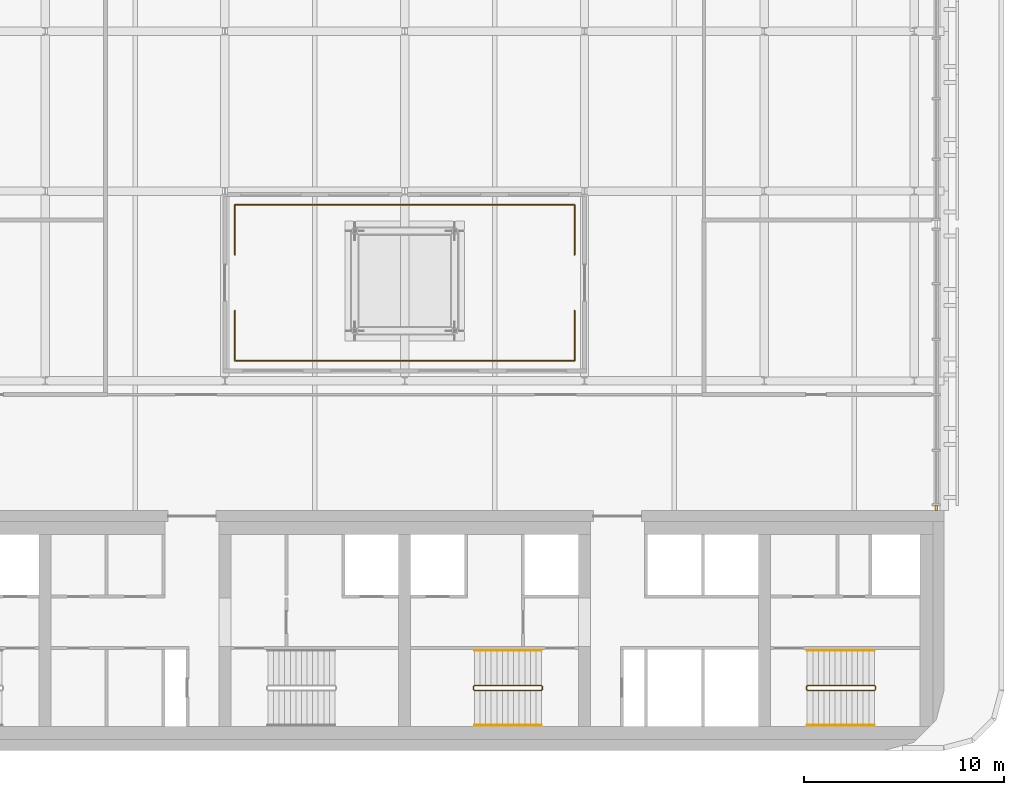
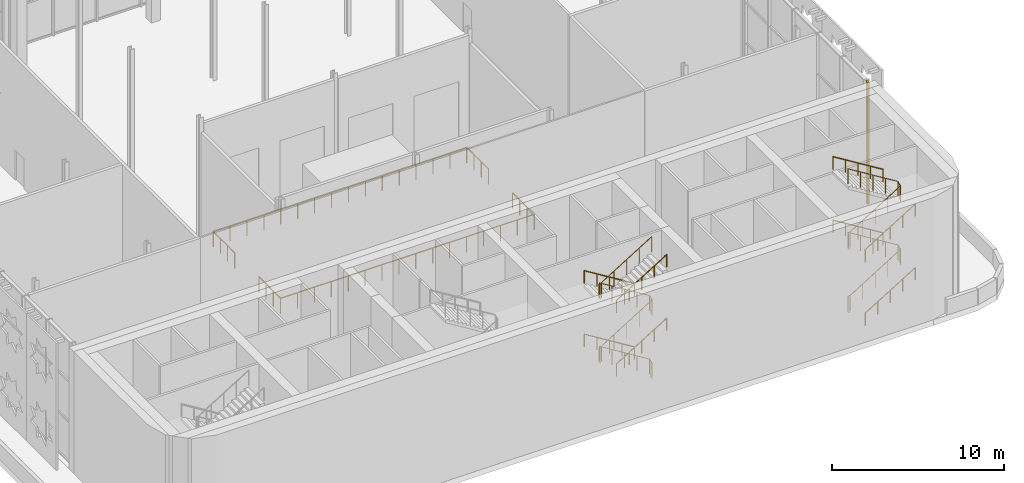
# One storey, part 23 of 26: 12 railings, 1 covering.
"""IFC4 building model written with IfcOpenShell, lengths in metres."""

from ifc_helpers import new_model, si_unit, direction, frame, origin, origin_2d, place, context, subcontext, project, spatial, rectangle, circle, extrude, material, layer, layer_set, type_object, element, save


model = new_model("IFC4")

# Units and contexts
model_context = context("Model", 3, precision=1e-05, world=origin(), true_north=direction((0.0, 1.0)))
body_context = subcontext(model_context, "Body", "Model", "MODEL_VIEW")
ifc_project = project(units=[si_unit("LENGTHUNIT", "METRE"), si_unit("AREAUNIT", "SQUARE_METRE"), si_unit("VOLUMEUNIT", "CUBIC_METRE"), si_unit("PLANEANGLEUNIT", "RADIAN"), si_unit("MASSUNIT", "GRAM", prefix="KILO")], contexts=[model_context])

# Site, building, storey
site_placement = place(None, origin())
site = spatial("IfcSite", under=ifc_project, at=site_placement, CompositionType="ELEMENT")
building_placement = place(site_placement, origin())
building = spatial("IfcBuilding", under=site, at=building_placement, Name="Zellij Exchange Tower", CompositionType="ELEMENT")
storey_placement = place(building_placement, frame((0.0, 0.0, 296.5)))
storey = spatial("IfcBuildingStorey", under=building, at=storey_placement, Name="L70", CompositionType="ELEMENT", Elevation=296.5)

# Railings
ifc_material_1 = material(Name="Stainless steel", Category="steel")
railing_type_1 = type_object("IfcRailingType", Name="CORE-RG stair guard", PredefinedType="GUARDRAIL", material=ifc_material_1)
railing_1_placement = place(storey_placement, frame((6.89990234375, -10.800048828125, 0.0)))
element("IfcRailing", 1, at=railing_1_placement, inside=storey, type_object=railing_type_1, Name="ST3 stair guard L70", PredefinedType="GUARDRAIL", context=body_context, shape_type="SweptSolid", body=[
    extrude(circle(Radius=0.02392578125, at=origin_2d()), frame((0.0, 0.0, 1.076171875), z_axis=(0.0, -1.0, 0.0), x_axis=(1.0, 0.0, 0.0)), (0.0, 0.0, 1.0), 0.14990234375),
    extrude(circle(Radius=0.02392578125, at=origin_2d()), frame((0.0, -0.14990234375, 1.076171875), z_axis=(-0.185068141132, 0.742994154839, 0.643202510111), x_axis=(-0.970351222016, -0.241699205484, 0.0)), (0.0, 0.0, 1.0), 0.26904296875),
    extrude(circle(Radius=0.02392578125, at=origin_2d()), frame((-0.0498046875, 0.050048828125, 1.2490234375), z_axis=(-0.850623216509, 0.0, 0.525775754039), x_axis=(0.0, -1.0, 0.0)), (0.0, 0.0, 1.0), 3.9501953125),
    extrude(circle(Radius=0.02392578125, at=origin_2d()), frame((-3.409912109375, 0.050048828125, 3.326171875), z_axis=(-0.707106781187, -0.707106781187, 0.0), x_axis=(0.707106781187, -0.707106781187, 0.0)), (0.0, 0.0, 1.0), 0.07080078125),
    extrude(circle(Radius=0.02392578125, at=origin_2d()), frame((-3.4599609375, 0.0, 3.326171875), z_axis=(0.0, -1.0, 0.0), x_axis=(1.0, 0.0, 0.0)), (0.0, 0.0, 1.0), 0.14990234375),
    extrude(circle(Radius=0.02392578125, at=origin_2d()), frame((-3.4599609375, -0.14990234375, 3.326171875), z_axis=(0.267629722418, -0.267629722418, 0.925607186314), x_axis=(0.707106781187, 0.707106781187, 0.0)), (0.0, 0.0, 1.0), 0.18701171875),
    extrude(circle(Radius=0.02392578125, at=origin_2d()), frame((-3.409912109375, -0.199951171875, 3.4990234375), z_axis=(0.850623216509, 0.0, 0.525775754039), x_axis=(0.0, 1.0, 0.0)), (0.0, 0.0, 1.0), 3.9501953125),
    extrude(circle(Radius=0.02392578125, at=origin_2d()), frame((-0.0498046875, -0.199951171875, 5.576171875), z_axis=(0.241699205484, 0.970351222016, 0.0), x_axis=(-0.970351222016, 0.241699205484, 0.0)), (0.0, 0.0, 1.0), 0.2060546875),
    extrude(circle(Radius=0.02392578125, at=origin_2d()), frame((0.0, 0.0, 5.576171875), z_axis=(0.0, -1.0, 0.0), x_axis=(1.0, 0.0, 0.0)), (0.0, 0.0, 1.0), 0.14990234375),
    extrude(circle(Radius=0.02392578125, at=origin_2d()), frame((0.0, -0.14990234375, 5.576171875), z_axis=(-0.185068141132, 0.742994154839, 0.643202510111), x_axis=(-0.970351222016, -0.241699205484, 0.0)), (0.0, 0.0, 1.0), 0.26904296875),
    extrude(circle(Radius=0.02392578125, at=origin_2d()), frame((-0.0498046875, 0.050048828125, 5.7490234375), z_axis=(-0.850623216509, 0.0, 0.525775754039), x_axis=(0.0, -1.0, 0.0)), (0.0, 0.0, 1.0), 3.9501953125),
    extrude(circle(Radius=0.02392578125, at=origin_2d()), frame((-3.409912109375, 0.050048828125, 7.826171875), z_axis=(-0.707106781187, -0.707106781187, 0.0), x_axis=(0.707106781187, -0.707106781187, 0.0)), (0.0, 0.0, 1.0), 0.07080078125),
    extrude(circle(Radius=0.02392578125, at=origin_2d()), frame((-3.4599609375, 0.0, 7.826171875), z_axis=(0.0, -1.0, 0.0), x_axis=(1.0, 0.0, 0.0)), (0.0, 0.0, 1.0), 0.14990234375),
    extrude(circle(Radius=0.02392578125, at=origin_2d()), frame((-3.4599609375, -0.14990234375, 7.826171875), z_axis=(0.267629722418, -0.267629722418, 0.925607186314), x_axis=(0.707106781187, 0.707106781187, 0.0)), (0.0, 0.0, 1.0), 0.18701171875),
    extrude(circle(Radius=0.02392578125, at=origin_2d()), frame((-3.409912109375, -0.199951171875, 7.9990234375), z_axis=(0.850623216509, 0.0, 0.525775754039), x_axis=(0.0, 1.0, 0.0)), (0.0, 0.0, 1.0), 3.9501953125),
    extrude(circle(Radius=0.02099609375, at=origin_2d()), origin(), (0.0, 0.0, 1.0), 1.052001953125),
    extrude(circle(Radius=0.02099609375, at=origin_2d()), frame((0.0, -0.14990234375, 0.0)), (0.0, 0.0, 1.0), 1.052001953125),
    extrude(circle(Radius=0.02099609375, at=origin_2d()), frame((-0.0498046875, 0.050048828125, 0.173095703125)), (0.0, 0.0, 1.0), 1.052001953125),
    extrude(circle(Radius=0.02099609375, at=origin_2d()), frame((-0.889892578125, 0.050048828125, 0.6923828125)), (0.0, 0.0, 1.0), 1.052001953125),
    extrude(circle(Radius=0.02099609375, at=origin_2d()), frame((-1.72998046875, 0.050048828125, 1.21142578125)), (0.0, 0.0, 1.0), 1.052001953125),
    extrude(circle(Radius=0.02099609375, at=origin_2d()), frame((-2.56982421875, 0.050048828125, 1.730712890625)), (0.0, 0.0, 1.0), 1.052001953125),
    extrude(circle(Radius=0.02099609375, at=origin_2d()), frame((-3.409912109375, 0.050048828125, 2.25)), (0.0, 0.0, 1.0), 1.052001953125),
    extrude(circle(Radius=0.02099609375, at=origin_2d()), frame((-3.4599609375, 0.0, 2.25)), (0.0, 0.0, 1.0), 1.052001953125),
    extrude(circle(Radius=0.02099609375, at=origin_2d()), frame((-3.4599609375, -0.14990234375, 2.25)), (0.0, 0.0, 1.0), 1.052001953125),
    extrude(circle(Radius=0.02099609375, at=origin_2d()), frame((-3.409912109375, -0.199951171875, 2.423095703125)), (0.0, 0.0, 1.0), 1.052001953125),
    extrude(circle(Radius=0.02099609375, at=origin_2d()), frame((-2.56982421875, -0.199951171875, 2.9423828125)), (0.0, 0.0, 1.0), 1.052001953125),
    extrude(circle(Radius=0.02099609375, at=origin_2d()), frame((-1.72998046875, -0.199951171875, 3.46142578125)), (0.0, 0.0, 1.0), 1.052001953125),
    extrude(circle(Radius=0.02099609375, at=origin_2d()), frame((-0.889892578125, -0.199951171875, 3.980712890625)), (0.0, 0.0, 1.0), 1.052001953125),
    extrude(circle(Radius=0.02099609375, at=origin_2d()), frame((-0.0498046875, -0.199951171875, 4.5)), (0.0, 0.0, 1.0), 1.052001953125),
    extrude(circle(Radius=0.02099609375, at=origin_2d()), frame((0.0, 0.0, 4.5)), (0.0, 0.0, 1.0), 1.052001953125),
    extrude(circle(Radius=0.02099609375, at=origin_2d()), frame((0.0, -0.14990234375, 4.5)), (0.0, 0.0, 1.0), 1.052001953125),
    extrude(circle(Radius=0.02099609375, at=origin_2d()), frame((-0.0498046875, 0.050048828125, 4.673095703125)), (0.0, 0.0, 1.0), 1.052001953125),
    extrude(circle(Radius=0.02099609375, at=origin_2d()), frame((-0.889892578125, 0.050048828125, 5.1923828125)), (0.0, 0.0, 1.0), 1.052001953125),
    extrude(circle(Radius=0.02099609375, at=origin_2d()), frame((-1.72998046875, 0.050048828125, 5.71142578125)), (0.0, 0.0, 1.0), 1.052001953125),
    extrude(circle(Radius=0.02099609375, at=origin_2d()), frame((-2.56982421875, 0.050048828125, 6.230712890625)), (0.0, 0.0, 1.0), 1.052001953125),
    extrude(circle(Radius=0.02099609375, at=origin_2d()), frame((-3.409912109375, 0.050048828125, 6.75)), (0.0, 0.0, 1.0), 1.052001953125),
    extrude(circle(Radius=0.02099609375, at=origin_2d()), frame((-3.4599609375, 0.0, 6.75)), (0.0, 0.0, 1.0), 1.052001953125),
    extrude(circle(Radius=0.02099609375, at=origin_2d()), frame((-3.4599609375, -0.14990234375, 6.75)), (0.0, 0.0, 1.0), 1.052001953125),
    extrude(circle(Radius=0.02099609375, at=origin_2d()), frame((-3.409912109375, -0.199951171875, 6.923095703125)), (0.0, 0.0, 1.0), 1.052001953125),
    extrude(circle(Radius=0.02099609375, at=origin_2d()), frame((-2.56982421875, -0.199951171875, 7.4423828125)), (0.0, 0.0, 1.0), 1.052001953125),
    extrude(circle(Radius=0.02099609375, at=origin_2d()), frame((-1.72998046875, -0.199951171875, 7.96142578125)), (0.0, 0.0, 1.0), 1.052001953125),
    extrude(circle(Radius=0.02099609375, at=origin_2d()), frame((-0.889892578125, -0.199951171875, 8.480712890625)), (0.0, 0.0, 1.0), 1.052001953125),
    extrude(circle(Radius=0.02099609375, at=origin_2d()), frame((-0.0498046875, -0.199951171875, 9.0)), (0.0, 0.0, 1.0), 1.052001953125),
])
railing_2_placement = place(storey_placement, frame((20.10009765625, -10.949951171875, 0.0)))
element("IfcRailing", 2, at=railing_2_placement, inside=storey, type_object=railing_type_1, Name="ST4 stair guard L70", PredefinedType="GUARDRAIL", context=body_context, shape_type="SweptSolid", body=[
    extrude(circle(Radius=0.02392578125, at=origin_2d()), frame((0.0, 0.0, 1.076171875), z_axis=(0.0, 1.0, 0.0), x_axis=(-1.0, 0.0, 0.0)), (0.0, 0.0, 1.0), 0.14990234375),
    extrude(circle(Radius=0.02392578125, at=origin_2d()), frame((0.0, 0.14990234375, 1.076171875), z_axis=(0.185068141132, -0.742994154839, 0.643202510111), x_axis=(0.970351222016, 0.241699205484, 0.0)), (0.0, 0.0, 1.0), 0.26904296875),
    extrude(circle(Radius=0.02392578125, at=origin_2d()), frame((0.0498046875, -0.050048828125, 1.2490234375), z_axis=(0.850623216509, 0.0, 0.525775754039), x_axis=(0.0, 1.0, 0.0)), (0.0, 0.0, 1.0), 3.9501953125),
    extrude(circle(Radius=0.02392578125, at=origin_2d()), frame((3.409912109375, -0.050048828125, 3.326171875), z_axis=(0.707106781187, 0.707106781187, 0.0), x_axis=(-0.707106781187, 0.707106781187, 0.0)), (0.0, 0.0, 1.0), 0.07080078125),
    extrude(circle(Radius=0.02392578125, at=origin_2d()), frame((3.4599609375, 0.0, 3.326171875), z_axis=(0.0, 1.0, 0.0), x_axis=(-1.0, 0.0, 0.0)), (0.0, 0.0, 1.0), 0.14990234375),
    extrude(circle(Radius=0.02392578125, at=origin_2d()), frame((3.4599609375, 0.14990234375, 3.326171875), z_axis=(-0.267629722418, 0.267629722418, 0.925607186314), x_axis=(-0.707106781187, -0.707106781187, 0.0)), (0.0, 0.0, 1.0), 0.18701171875),
    extrude(circle(Radius=0.02392578125, at=origin_2d()), frame((3.409912109375, 0.199951171875, 3.4990234375), z_axis=(-0.850623216509, 0.0, 0.525775754039), x_axis=(0.0, -1.0, 0.0)), (0.0, 0.0, 1.0), 3.9501953125),
    extrude(circle(Radius=0.02392578125, at=origin_2d()), frame((0.0498046875, 0.199951171875, 5.576171875), z_axis=(-0.241699205484, -0.970351222016, 0.0), x_axis=(0.970351222016, -0.241699205484, 0.0)), (0.0, 0.0, 1.0), 0.2060546875),
    extrude(circle(Radius=0.02392578125, at=origin_2d()), frame((0.0, 0.0, 5.576171875), z_axis=(0.0, 1.0, 0.0), x_axis=(-1.0, 0.0, 0.0)), (0.0, 0.0, 1.0), 0.14990234375),
    extrude(circle(Radius=0.02392578125, at=origin_2d()), frame((0.0, 0.14990234375, 5.576171875), z_axis=(0.185068141132, -0.742994154839, 0.643202510111), x_axis=(0.970351222016, 0.241699205484, 0.0)), (0.0, 0.0, 1.0), 0.26904296875),
    extrude(circle(Radius=0.02392578125, at=origin_2d()), frame((0.0498046875, -0.050048828125, 5.7490234375), z_axis=(0.850623216509, 0.0, 0.525775754039), x_axis=(0.0, 1.0, 0.0)), (0.0, 0.0, 1.0), 3.9501953125),
    extrude(circle(Radius=0.02392578125, at=origin_2d()), frame((3.409912109375, -0.050048828125, 7.826171875), z_axis=(0.707106781187, 0.707106781187, 0.0), x_axis=(-0.707106781187, 0.707106781187, 0.0)), (0.0, 0.0, 1.0), 0.07080078125),
    extrude(circle(Radius=0.02392578125, at=origin_2d()), frame((3.4599609375, 0.0, 7.826171875), z_axis=(0.0, 1.0, 0.0), x_axis=(-1.0, 0.0, 0.0)), (0.0, 0.0, 1.0), 0.14990234375),
    extrude(circle(Radius=0.02392578125, at=origin_2d()), frame((3.4599609375, 0.14990234375, 7.826171875), z_axis=(-0.267629722418, 0.267629722418, 0.925607186314), x_axis=(-0.707106781187, -0.707106781187, 0.0)), (0.0, 0.0, 1.0), 0.18701171875),
    extrude(circle(Radius=0.02392578125, at=origin_2d()), frame((3.409912109375, 0.199951171875, 7.9990234375), z_axis=(-0.850623216509, 0.0, 0.525775754039), x_axis=(0.0, -1.0, 0.0)), (0.0, 0.0, 1.0), 3.9501953125),
    extrude(circle(Radius=0.02099609375, at=origin_2d()), origin(), (0.0, 0.0, 1.0), 1.052001953125),
    extrude(circle(Radius=0.02099609375, at=origin_2d()), frame((0.0, 0.14990234375, 0.0)), (0.0, 0.0, 1.0), 1.052001953125),
    extrude(circle(Radius=0.02099609375, at=origin_2d()), frame((0.0498046875, -0.050048828125, 0.173095703125)), (0.0, 0.0, 1.0), 1.052001953125),
    extrude(circle(Radius=0.02099609375, at=origin_2d()), frame((0.889892578125, -0.050048828125, 0.6923828125)), (0.0, 0.0, 1.0), 1.052001953125),
    extrude(circle(Radius=0.02099609375, at=origin_2d()), frame((1.72998046875, -0.050048828125, 1.21142578125)), (0.0, 0.0, 1.0), 1.052001953125),
    extrude(circle(Radius=0.02099609375, at=origin_2d()), frame((2.56982421875, -0.050048828125, 1.730712890625)), (0.0, 0.0, 1.0), 1.052001953125),
    extrude(circle(Radius=0.02099609375, at=origin_2d()), frame((3.409912109375, -0.050048828125, 2.25)), (0.0, 0.0, 1.0), 1.052001953125),
    extrude(circle(Radius=0.02099609375, at=origin_2d()), frame((3.4599609375, 0.0, 2.25)), (0.0, 0.0, 1.0), 1.052001953125),
    extrude(circle(Radius=0.02099609375, at=origin_2d()), frame((3.4599609375, 0.14990234375, 2.25)), (0.0, 0.0, 1.0), 1.052001953125),
    extrude(circle(Radius=0.02099609375, at=origin_2d()), frame((3.409912109375, 0.199951171875, 2.423095703125)), (0.0, 0.0, 1.0), 1.052001953125),
    extrude(circle(Radius=0.02099609375, at=origin_2d()), frame((2.56982421875, 0.199951171875, 2.9423828125)), (0.0, 0.0, 1.0), 1.052001953125),
    extrude(circle(Radius=0.02099609375, at=origin_2d()), frame((1.72998046875, 0.199951171875, 3.46142578125)), (0.0, 0.0, 1.0), 1.052001953125),
    extrude(circle(Radius=0.02099609375, at=origin_2d()), frame((0.889892578125, 0.199951171875, 3.980712890625)), (0.0, 0.0, 1.0), 1.052001953125),
    extrude(circle(Radius=0.02099609375, at=origin_2d()), frame((0.0498046875, 0.199951171875, 4.5)), (0.0, 0.0, 1.0), 1.052001953125),
    extrude(circle(Radius=0.02099609375, at=origin_2d()), frame((0.0, 0.0, 4.5)), (0.0, 0.0, 1.0), 1.052001953125),
    extrude(circle(Radius=0.02099609375, at=origin_2d()), frame((0.0, 0.14990234375, 4.5)), (0.0, 0.0, 1.0), 1.052001953125),
    extrude(circle(Radius=0.02099609375, at=origin_2d()), frame((0.0498046875, -0.050048828125, 4.673095703125)), (0.0, 0.0, 1.0), 1.052001953125),
    extrude(circle(Radius=0.02099609375, at=origin_2d()), frame((0.889892578125, -0.050048828125, 5.1923828125)), (0.0, 0.0, 1.0), 1.052001953125),
    extrude(circle(Radius=0.02099609375, at=origin_2d()), frame((1.72998046875, -0.050048828125, 5.71142578125)), (0.0, 0.0, 1.0), 1.052001953125),
    extrude(circle(Radius=0.02099609375, at=origin_2d()), frame((2.56982421875, -0.050048828125, 6.230712890625)), (0.0, 0.0, 1.0), 1.052001953125),
    extrude(circle(Radius=0.02099609375, at=origin_2d()), frame((3.409912109375, -0.050048828125, 6.75)), (0.0, 0.0, 1.0), 1.052001953125),
    extrude(circle(Radius=0.02099609375, at=origin_2d()), frame((3.4599609375, 0.0, 6.75)), (0.0, 0.0, 1.0), 1.052001953125),
    extrude(circle(Radius=0.02099609375, at=origin_2d()), frame((3.4599609375, 0.14990234375, 6.75)), (0.0, 0.0, 1.0), 1.052001953125),
    extrude(circle(Radius=0.02099609375, at=origin_2d()), frame((3.409912109375, 0.199951171875, 6.923095703125)), (0.0, 0.0, 1.0), 1.052001953125),
    extrude(circle(Radius=0.02099609375, at=origin_2d()), frame((2.56982421875, 0.199951171875, 7.4423828125)), (0.0, 0.0, 1.0), 1.052001953125),
    extrude(circle(Radius=0.02099609375, at=origin_2d()), frame((1.72998046875, 0.199951171875, 7.96142578125)), (0.0, 0.0, 1.0), 1.052001953125),
    extrude(circle(Radius=0.02099609375, at=origin_2d()), frame((0.889892578125, 0.199951171875, 8.480712890625)), (0.0, 0.0, 1.0), 1.052001953125),
    extrude(circle(Radius=0.02099609375, at=origin_2d()), frame((0.0498046875, 0.199951171875, 9.0)), (0.0, 0.0, 1.0), 1.052001953125),
])
railing_type_2 = type_object("IfcRailingType", Name="CORE-RH stair handrail", PredefinedType="HANDRAIL", material=ifc_material_1)
railing_3_placement = place(storey_placement, frame((6.85009765625, -9.0, 0.173095703125)))
element("IfcRailing", 3, at=railing_3_placement, inside=storey, type_object=railing_type_2, Name="ST3 stair handrail L70", PredefinedType="HANDRAIL", context=body_context, shape_type="SweptSolid", body=[
    extrude(circle(Radius=0.02392578125, at=origin_2d()), frame((0.0, 0.0, 0.8759765625), z_axis=(-0.850623216509, 0.0, 0.525775754039), x_axis=(0.0, -1.0, 0.0)), (0.0, 0.0, 1.0), 3.9501953125),
    extrude(circle(Radius=0.02099609375, at=origin_2d()), origin(), (0.0, 0.0, 1.0), 0.851806640625),
    extrude(circle(Radius=0.02099609375, at=origin_2d()), frame((-0.840087890625, 0.0, 0.519287109375)), (0.0, 0.0, 1.0), 0.851806640625),
    extrude(circle(Radius=0.02099609375, at=origin_2d()), frame((-1.68017578125, 0.0, 1.03857421875)), (0.0, 0.0, 1.0), 0.851806640625),
    extrude(circle(Radius=0.02099609375, at=origin_2d()), frame((-2.52001953125, 0.0, 1.5576171875)), (0.0, 0.0, 1.0), 0.851806640625),
    extrude(circle(Radius=0.02099609375, at=origin_2d()), frame((-3.360107421875, 0.0, 2.076904296875)), (0.0, 0.0, 1.0), 0.851806640625),
])
railing_4_placement = place(storey_placement, frame((3.489990234375, -12.75, 2.423095703125)))
element("IfcRailing", 4, at=railing_4_placement, inside=storey, type_object=railing_type_2, Name="ST3 stair handrail L70", PredefinedType="HANDRAIL", context=body_context, shape_type="SweptSolid", body=[
    extrude(circle(Radius=0.02392578125, at=origin_2d()), frame((0.0, 0.0, 0.8759765625), z_axis=(0.850623216509, 0.0, 0.525775754039), x_axis=(0.0, 1.0, 0.0)), (0.0, 0.0, 1.0), 3.9501953125),
    extrude(circle(Radius=0.02099609375, at=origin_2d()), origin(), (0.0, 0.0, 1.0), 0.851806640625),
    extrude(circle(Radius=0.02099609375, at=origin_2d()), frame((0.840087890625, 0.0, 0.519287109375)), (0.0, 0.0, 1.0), 0.851806640625),
    extrude(circle(Radius=0.02099609375, at=origin_2d()), frame((1.68017578125, 0.0, 1.03857421875)), (0.0, 0.0, 1.0), 0.851806640625),
    extrude(circle(Radius=0.02099609375, at=origin_2d()), frame((2.52001953125, 0.0, 1.5576171875)), (0.0, 0.0, 1.0), 0.851806640625),
    extrude(circle(Radius=0.02099609375, at=origin_2d()), frame((3.360107421875, 0.0, 2.076904296875)), (0.0, 0.0, 1.0), 0.851806640625),
])
railing_5_placement = place(storey_placement, frame((6.85009765625, -9.0, 4.673095703125)))
element("IfcRailing", 5, at=railing_5_placement, inside=storey, type_object=railing_type_2, Name="ST3 stair handrail L70", PredefinedType="HANDRAIL", context=body_context, shape_type="SweptSolid", body=[
    extrude(circle(Radius=0.02392578125, at=origin_2d()), frame((0.0, 0.0, 0.8759765625), z_axis=(-0.850623216509, 0.0, 0.525775754039), x_axis=(0.0, -1.0, 0.0)), (0.0, 0.0, 1.0), 3.9501953125),
    extrude(circle(Radius=0.02099609375, at=origin_2d()), origin(), (0.0, 0.0, 1.0), 0.851806640625),
    extrude(circle(Radius=0.02099609375, at=origin_2d()), frame((-0.840087890625, 0.0, 0.519287109375)), (0.0, 0.0, 1.0), 0.851806640625),
    extrude(circle(Radius=0.02099609375, at=origin_2d()), frame((-1.68017578125, 0.0, 1.03857421875)), (0.0, 0.0, 1.0), 0.851806640625),
    extrude(circle(Radius=0.02099609375, at=origin_2d()), frame((-2.52001953125, 0.0, 1.5576171875)), (0.0, 0.0, 1.0), 0.851806640625),
    extrude(circle(Radius=0.02099609375, at=origin_2d()), frame((-3.360107421875, 0.0, 2.076904296875)), (0.0, 0.0, 1.0), 0.851806640625),
])
for number, where, name in (
    (6, (3.489990234375, -12.75, 6.923095703125), "ST3 stair handrail L70"),
    (7, (20.14990234375, -12.75, 0.173095703125), "ST4 stair handrail L70"),
):
    element("IfcRailing", number, at=place(storey_placement, frame(where)), inside=storey, type_object=railing_type_2, Name=name, PredefinedType="HANDRAIL", context=body_context, shape_type="SweptSolid", body=[
        extrude(circle(Radius=0.02392578125, at=origin_2d()), frame((0.0, 0.0, 0.8759765625), z_axis=(0.850623216509, 0.0, 0.525775754039), x_axis=(0.0, 1.0, 0.0)), (0.0, 0.0, 1.0), 3.9501953125),
        extrude(circle(Radius=0.02099609375, at=origin_2d()), origin(), (0.0, 0.0, 1.0), 0.851806640625),
        extrude(circle(Radius=0.02099609375, at=origin_2d()), frame((0.840087890625, 0.0, 0.519287109375)), (0.0, 0.0, 1.0), 0.851806640625),
        extrude(circle(Radius=0.02099609375, at=origin_2d()), frame((1.68017578125, 0.0, 1.03857421875)), (0.0, 0.0, 1.0), 0.851806640625),
        extrude(circle(Radius=0.02099609375, at=origin_2d()), frame((2.52001953125, 0.0, 1.5576171875)), (0.0, 0.0, 1.0), 0.851806640625),
        extrude(circle(Radius=0.02099609375, at=origin_2d()), frame((3.360107421875, 0.0, 2.076904296875)), (0.0, 0.0, 1.0), 0.851806640625),
    ])
railing_6_placement = place(storey_placement, frame((23.510009765625, -9.0, 2.423095703125)))
element("IfcRailing", 8, at=railing_6_placement, inside=storey, type_object=railing_type_2, Name="ST4 stair handrail L70", PredefinedType="HANDRAIL", context=body_context, shape_type="SweptSolid", body=[
    extrude(circle(Radius=0.02392578125, at=origin_2d()), frame((0.0, 0.0, 0.8759765625), z_axis=(-0.850623216509, 0.0, 0.525775754039), x_axis=(0.0, -1.0, 0.0)), (0.0, 0.0, 1.0), 3.9501953125),
    extrude(circle(Radius=0.02099609375, at=origin_2d()), origin(), (0.0, 0.0, 1.0), 0.851806640625),
    extrude(circle(Radius=0.02099609375, at=origin_2d()), frame((-0.840087890625, 0.0, 0.519287109375)), (0.0, 0.0, 1.0), 0.851806640625),
    extrude(circle(Radius=0.02099609375, at=origin_2d()), frame((-1.68017578125, 0.0, 1.03857421875)), (0.0, 0.0, 1.0), 0.851806640625),
    extrude(circle(Radius=0.02099609375, at=origin_2d()), frame((-2.52001953125, 0.0, 1.5576171875)), (0.0, 0.0, 1.0), 0.851806640625),
    extrude(circle(Radius=0.02099609375, at=origin_2d()), frame((-3.360107421875, 0.0, 2.076904296875)), (0.0, 0.0, 1.0), 0.851806640625),
])
railing_7_placement = place(storey_placement, frame((20.14990234375, -12.75, 4.673095703125)))
element("IfcRailing", 9, at=railing_7_placement, inside=storey, type_object=railing_type_2, Name="ST4 stair handrail L70", PredefinedType="HANDRAIL", context=body_context, shape_type="SweptSolid", body=[
    extrude(circle(Radius=0.02392578125, at=origin_2d()), frame((0.0, 0.0, 0.8759765625), z_axis=(0.850623216509, 0.0, 0.525775754039), x_axis=(0.0, 1.0, 0.0)), (0.0, 0.0, 1.0), 3.9501953125),
    extrude(circle(Radius=0.02099609375, at=origin_2d()), origin(), (0.0, 0.0, 1.0), 0.851806640625),
    extrude(circle(Radius=0.02099609375, at=origin_2d()), frame((0.840087890625, 0.0, 0.519287109375)), (0.0, 0.0, 1.0), 0.851806640625),
    extrude(circle(Radius=0.02099609375, at=origin_2d()), frame((1.68017578125, 0.0, 1.03857421875)), (0.0, 0.0, 1.0), 0.851806640625),
    extrude(circle(Radius=0.02099609375, at=origin_2d()), frame((2.52001953125, 0.0, 1.5576171875)), (0.0, 0.0, 1.0), 0.851806640625),
    extrude(circle(Radius=0.02099609375, at=origin_2d()), frame((3.360107421875, 0.0, 2.076904296875)), (0.0, 0.0, 1.0), 0.851806640625),
])
railing_8_placement = place(storey_placement, frame((23.510009765625, -9.0, 6.923095703125)))
element("IfcRailing", 10, at=railing_8_placement, inside=storey, type_object=railing_type_2, Name="ST4 stair handrail L70", PredefinedType="HANDRAIL", context=body_context, shape_type="SweptSolid", body=[
    extrude(circle(Radius=0.02392578125, at=origin_2d()), frame((0.0, 0.0, 0.8759765625), z_axis=(-0.850623216509, 0.0, 0.525775754039), x_axis=(0.0, -1.0, 0.0)), (0.0, 0.0, 1.0), 3.9501953125),
    extrude(circle(Radius=0.02099609375, at=origin_2d()), origin(), (0.0, 0.0, 1.0), 0.851806640625),
    extrude(circle(Radius=0.02099609375, at=origin_2d()), frame((-0.840087890625, 0.0, 0.519287109375)), (0.0, 0.0, 1.0), 0.851806640625),
    extrude(circle(Radius=0.02099609375, at=origin_2d()), frame((-1.68017578125, 0.0, 1.03857421875)), (0.0, 0.0, 1.0), 0.851806640625),
    extrude(circle(Radius=0.02099609375, at=origin_2d()), frame((-2.52001953125, 0.0, 1.5576171875)), (0.0, 0.0, 1.0), 0.851806640625),
    extrude(circle(Radius=0.02099609375, at=origin_2d()), frame((-3.360107421875, 0.0, 2.076904296875)), (0.0, 0.0, 1.0), 0.851806640625),
])

# Covering
ifc_material_2 = material(Name="Limestone cladding", Category="masonry")
ifc_layer = layer(ifc_material_2, 0.1201171875)
ifc_layer_set = layer_set([ifc_layer], Name="Limestone cladding")
covering_type = type_object("IfcCoveringType", Name="ENV-CV18 Glazing closer 120", PredefinedType="CLADDING", material=ifc_layer_set)
covering_placement = place(storey_placement, frame((26.60009765625, -1.875, 0.0), z_axis=(0.0, 0.0, 1.0), x_axis=(0.0, -1.0, 0.0)))
element("IfcCovering", 11, at=covering_placement, inside=storey, type_object=covering_type, Name="Glazing closer", PredefinedType="CLADDING", context=body_context, shape_type="SweptSolid", body=[
    extrude(rectangle(XDim=0.25, YDim=0.1201171875, at=origin_2d()), origin(), (0.0, 0.0, 1.0), 8.64990234375),
])

# Railings
ifc_material_3 = material(Name="Steel and glass guard", Category="steel")
railing_type_3 = type_object("IfcRailingType", Name="FIT-GUARD-1100", PredefinedType="GUARDRAIL", material=ifc_material_3)
railing_9_placement = place(storey_placement, frame((-8.5, 10.80908203125, 0.0)))
element("IfcRailing", 12, at=railing_9_placement, inside=storey, type_object=railing_type_3, Name="Damper pit guard 001", PredefinedType="GUARDRAIL", context=body_context, shape_type="SweptSolid", body=[
    extrude(circle(Radius=0.02490234375, at=origin_2d()), frame((0.0, 0.0, 1.0751953125), z_axis=(0.0, 1.0, 0.0), x_axis=(-1.0, 0.0, 0.0)), (0.0, 0.0, 1.0), 2.509033203125),
    extrude(circle(Radius=0.02490234375, at=origin_2d()), frame((0.0, 2.509033203125, 1.0751953125), z_axis=(1.0, 0.0, 0.0), x_axis=(0.0, 1.0, 0.0)), (0.0, 0.0, 1.0), 17.0),
    extrude(circle(Radius=0.02490234375, at=origin_2d()), frame((17.0, 2.509033203125, 1.0751953125), z_axis=(0.0, -1.0, 0.0), x_axis=(1.0, 0.0, 0.0)), (0.0, 0.0, 1.0), 2.509033203125),
    extrude(circle(Radius=0.02001953125, at=origin_2d()), origin(), (0.0, 0.0, 1.0), 1.050048828125),
    extrude(circle(Radius=0.02001953125, at=origin_2d()), frame((0.0, 0.83642578125, 0.0)), (0.0, 0.0, 1.0), 1.050048828125),
    extrude(circle(Radius=0.02001953125, at=origin_2d()), frame((0.0, 1.672607421875, 0.0)), (0.0, 0.0, 1.0), 1.050048828125),
    extrude(circle(Radius=0.02001953125, at=origin_2d()), frame((0.0, 2.509033203125, 0.0)), (0.0, 0.0, 1.0), 1.050048828125),
    extrude(circle(Radius=0.02001953125, at=origin_2d()), frame((1.13330078125, 2.509033203125, 0.0)), (0.0, 0.0, 1.0), 1.050048828125),
    extrude(circle(Radius=0.02001953125, at=origin_2d()), frame((2.2666015625, 2.509033203125, 0.0)), (0.0, 0.0, 1.0), 1.050048828125),
    extrude(circle(Radius=0.02001953125, at=origin_2d()), frame((3.39990234375, 2.509033203125, 0.0)), (0.0, 0.0, 1.0), 1.050048828125),
    extrude(circle(Radius=0.02001953125, at=origin_2d()), frame((4.533447265625, 2.509033203125, 0.0)), (0.0, 0.0, 1.0), 1.050048828125),
    extrude(circle(Radius=0.02001953125, at=origin_2d()), frame((5.666748046875, 2.509033203125, 0.0)), (0.0, 0.0, 1.0), 1.050048828125),
    extrude(circle(Radius=0.02001953125, at=origin_2d()), frame((6.800048828125, 2.509033203125, 0.0)), (0.0, 0.0, 1.0), 1.050048828125),
    extrude(circle(Radius=0.02001953125, at=origin_2d()), frame((7.933349609375, 2.509033203125, 0.0)), (0.0, 0.0, 1.0), 1.050048828125),
    extrude(circle(Radius=0.02001953125, at=origin_2d()), frame((9.066650390625, 2.509033203125, 0.0)), (0.0, 0.0, 1.0), 1.050048828125),
    extrude(circle(Radius=0.02001953125, at=origin_2d()), frame((10.199951171875, 2.509033203125, 0.0)), (0.0, 0.0, 1.0), 1.050048828125),
    extrude(circle(Radius=0.02001953125, at=origin_2d()), frame((11.333251953125, 2.509033203125, 0.0)), (0.0, 0.0, 1.0), 1.050048828125),
    extrude(circle(Radius=0.02001953125, at=origin_2d()), frame((12.466552734375, 2.509033203125, 0.0)), (0.0, 0.0, 1.0), 1.050048828125),
    extrude(circle(Radius=0.02001953125, at=origin_2d()), frame((13.60009765625, 2.509033203125, 0.0)), (0.0, 0.0, 1.0), 1.050048828125),
    extrude(circle(Radius=0.02001953125, at=origin_2d()), frame((14.7333984375, 2.509033203125, 0.0)), (0.0, 0.0, 1.0), 1.050048828125),
    extrude(circle(Radius=0.02001953125, at=origin_2d()), frame((15.86669921875, 2.509033203125, 0.0)), (0.0, 0.0, 1.0), 1.050048828125),
    extrude(circle(Radius=0.02001953125, at=origin_2d()), frame((17.0, 2.509033203125, 0.0)), (0.0, 0.0, 1.0), 1.050048828125),
    extrude(circle(Radius=0.02001953125, at=origin_2d()), frame((17.0, 1.672607421875, 0.0)), (0.0, 0.0, 1.0), 1.050048828125),
    extrude(circle(Radius=0.02001953125, at=origin_2d()), frame((17.0, 0.83642578125, 0.0)), (0.0, 0.0, 1.0), 1.050048828125),
    extrude(circle(Radius=0.02001953125, at=origin_2d()), frame((17.0, 0.0, 0.0)), (0.0, 0.0, 1.0), 1.050048828125),
])
railing_10_placement = place(storey_placement, frame((8.5, 8.009033203125, 0.0)))
element("IfcRailing", 13, at=railing_10_placement, inside=storey, type_object=railing_type_3, Name="Damper pit guard 002", PredefinedType="GUARDRAIL", context=body_context, shape_type="SweptSolid", body=[
    extrude(circle(Radius=0.02490234375, at=origin_2d()), frame((0.0, 0.0, 1.0751953125), z_axis=(0.0, -1.0, 0.0), x_axis=(1.0, 0.0, 0.0)), (0.0, 0.0, 1.0), 2.509033203125),
    extrude(circle(Radius=0.02490234375, at=origin_2d()), frame((0.0, -2.509033203125, 1.0751953125), z_axis=(-1.0, 0.0, 0.0), x_axis=(0.0, -1.0, 0.0)), (0.0, 0.0, 1.0), 17.0),
    extrude(circle(Radius=0.02490234375, at=origin_2d()), frame((-17.0, -2.509033203125, 1.0751953125), z_axis=(0.0, 1.0, 0.0), x_axis=(-1.0, 0.0, 0.0)), (0.0, 0.0, 1.0), 2.509033203125),
    extrude(circle(Radius=0.02001953125, at=origin_2d()), origin(), (0.0, 0.0, 1.0), 1.050048828125),
    extrude(circle(Radius=0.02001953125, at=origin_2d()), frame((0.0, -0.83642578125, 0.0)), (0.0, 0.0, 1.0), 1.050048828125),
    extrude(circle(Radius=0.02001953125, at=origin_2d()), frame((0.0, -1.672607421875, 0.0)), (0.0, 0.0, 1.0), 1.050048828125),
    extrude(circle(Radius=0.02001953125, at=origin_2d()), frame((0.0, -2.509033203125, 0.0)), (0.0, 0.0, 1.0), 1.050048828125),
    extrude(circle(Radius=0.02001953125, at=origin_2d()), frame((-1.13330078125, -2.509033203125, 0.0)), (0.0, 0.0, 1.0), 1.050048828125),
    extrude(circle(Radius=0.02001953125, at=origin_2d()), frame((-2.2666015625, -2.509033203125, 0.0)), (0.0, 0.0, 1.0), 1.050048828125),
    extrude(circle(Radius=0.02001953125, at=origin_2d()), frame((-3.39990234375, -2.509033203125, 0.0)), (0.0, 0.0, 1.0), 1.050048828125),
    extrude(circle(Radius=0.02001953125, at=origin_2d()), frame((-4.533447265625, -2.509033203125, 0.0)), (0.0, 0.0, 1.0), 1.050048828125),
    extrude(circle(Radius=0.02001953125, at=origin_2d()), frame((-5.666748046875, -2.509033203125, 0.0)), (0.0, 0.0, 1.0), 1.050048828125),
    extrude(circle(Radius=0.02001953125, at=origin_2d()), frame((-6.800048828125, -2.509033203125, 0.0)), (0.0, 0.0, 1.0), 1.050048828125),
    extrude(circle(Radius=0.02001953125, at=origin_2d()), frame((-7.933349609375, -2.509033203125, 0.0)), (0.0, 0.0, 1.0), 1.050048828125),
    extrude(circle(Radius=0.02001953125, at=origin_2d()), frame((-9.066650390625, -2.509033203125, 0.0)), (0.0, 0.0, 1.0), 1.050048828125),
    extrude(circle(Radius=0.02001953125, at=origin_2d()), frame((-10.199951171875, -2.509033203125, 0.0)), (0.0, 0.0, 1.0), 1.050048828125),
    extrude(circle(Radius=0.02001953125, at=origin_2d()), frame((-11.333251953125, -2.509033203125, 0.0)), (0.0, 0.0, 1.0), 1.050048828125),
    extrude(circle(Radius=0.02001953125, at=origin_2d()), frame((-12.466552734375, -2.509033203125, 0.0)), (0.0, 0.0, 1.0), 1.050048828125),
    extrude(circle(Radius=0.02001953125, at=origin_2d()), frame((-13.60009765625, -2.509033203125, 0.0)), (0.0, 0.0, 1.0), 1.050048828125),
    extrude(circle(Radius=0.02001953125, at=origin_2d()), frame((-14.7333984375, -2.509033203125, 0.0)), (0.0, 0.0, 1.0), 1.050048828125),
    extrude(circle(Radius=0.02001953125, at=origin_2d()), frame((-15.86669921875, -2.509033203125, 0.0)), (0.0, 0.0, 1.0), 1.050048828125),
    extrude(circle(Radius=0.02001953125, at=origin_2d()), frame((-17.0, -2.509033203125, 0.0)), (0.0, 0.0, 1.0), 1.050048828125),
    extrude(circle(Radius=0.02001953125, at=origin_2d()), frame((-17.0, -1.672607421875, 0.0)), (0.0, 0.0, 1.0), 1.050048828125),
    extrude(circle(Radius=0.02001953125, at=origin_2d()), frame((-17.0, -0.83642578125, 0.0)), (0.0, 0.0, 1.0), 1.050048828125),
    extrude(circle(Radius=0.02001953125, at=origin_2d()), frame((-17.0, 0.0, 0.0)), (0.0, 0.0, 1.0), 1.050048828125),
])

save(model, "model.ifc")
